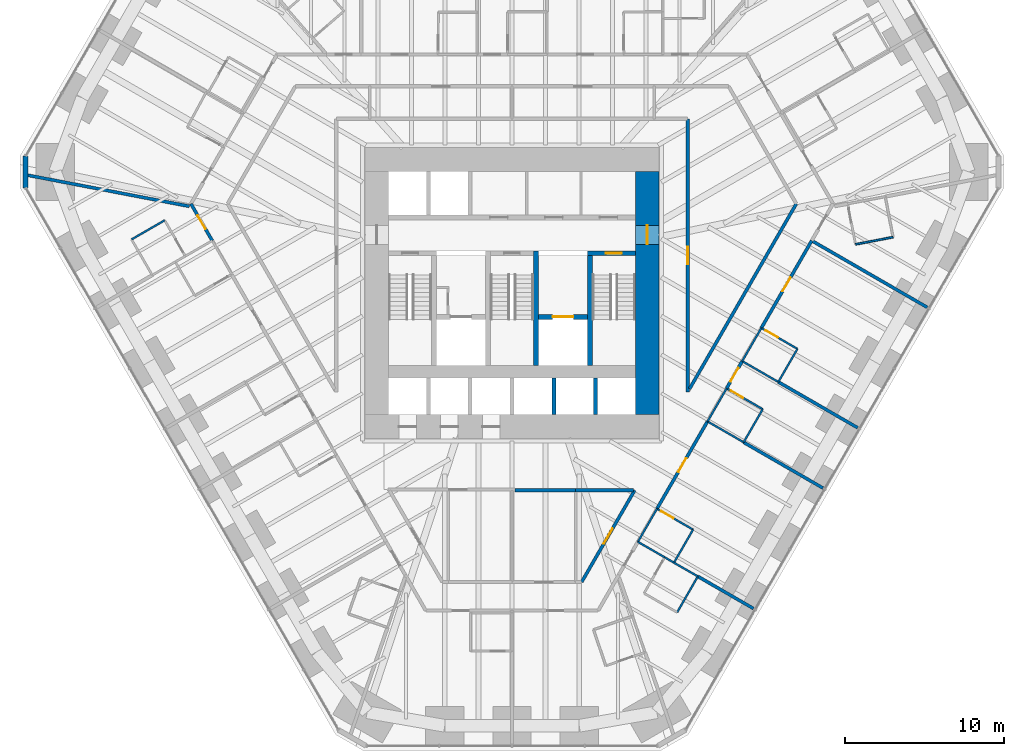
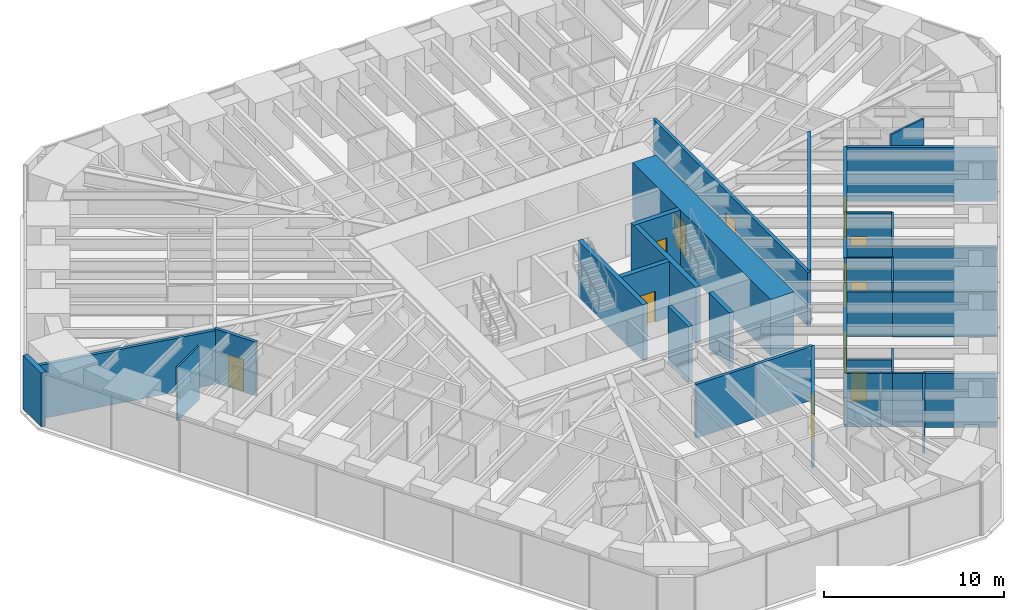
# One storey, part 13 of 17: 39 walls, 12 doors, 12 openings.
"""IFC4 building model written with IfcOpenShell, lengths in metres."""

from ifc_helpers import new_model, si_unit, direction, frame, frame_2d, origin, place, context, subcontext, project, spatial, rectangle, extrude, material, layer, layer_set, type_object, element, fill, save


model = new_model("IFC4")

# Units and contexts
model_context = context("Model", 3, precision=1e-05, world=origin(), true_north=direction((0.0, 1.0)))
body_context = subcontext(model_context, "Body", "Model", "MODEL_VIEW")
ifc_project = project(units=[si_unit("LENGTHUNIT", "METRE"), si_unit("AREAUNIT", "SQUARE_METRE"), si_unit("VOLUMEUNIT", "CUBIC_METRE"), si_unit("PLANEANGLEUNIT", "RADIAN"), si_unit("MASSUNIT", "GRAM", prefix="KILO")], contexts=[model_context])

# Site, building, storey
site_placement = place(None, origin())
site = spatial("IfcSite", under=ifc_project, at=site_placement, CompositionType="ELEMENT")
building_placement = place(site_placement, origin())
building = spatial("IfcBuilding", under=site, at=building_placement, Name="Sandreach Pilgrim Tower", CompositionType="ELEMENT")
storey_placement = place(building_placement, frame((0.0, 0.0, 26.800048828125)))
storey = spatial("IfcBuildingStorey", under=building, at=storey_placement, Name="L05", CompositionType="ELEMENT", Elevation=26.800048828125)

# Walls
ifc_material_1 = material(Name="Moisture-resistant gypsum board on steel studs", Category="steel")
ifc_layer_1 = layer(ifc_material_1, 0.1201171875)
ifc_layer_set_1 = layer_set([ifc_layer_1], Name="Bathroom partition 120")
wall_type_1 = type_object("IfcWallType", Name="Bathroom partition 120", PredefinedType="PARTITIONING", material=ifc_layer_set_1)
for number, where, z_axis, x_axis, name in (
    (1, (-21.830078125, 3.02001953125, 0.0), (0.0, 0.0, 1.0), (-0.866177122335, -0.499737123639, 0.0), "Bathroom partition L05-006"),
    (2, (7.909912109375, -17.18994140625, 0.0), (0.0, 0.0, 1.0), (0.499737123639, 0.866177122335, 0.0), "Bathroom partition L05-107"),
):
    element("IfcWall", number, at=place(storey_placement, frame(where, z_axis=z_axis, x_axis=x_axis)), inside=storey, type_object=wall_type_1, Name=name, PredefinedType="PARTITIONING", context=body_context, shape_type="SweptSolid", body=[
        extrude(rectangle(XDim=2.401123046875, YDim=0.1201171875, at=frame_2d((1.20068359375, 0.0))), origin(), (0.0, 0.0, 1.0), 3.639892578125),
    ])
wall_1_placement = place(storey_placement, frame((7.909912109375, -17.18994140625, 0.0), z_axis=(0.0, 0.0, 1.0), x_axis=(0.8673242112, -0.497743621421, 0.0)))
element("IfcWall", 3, at=wall_1_placement, inside=storey, type_object=wall_type_1, Name="Bathroom partition L05-108", PredefinedType="PARTITIONING", context=body_context, shape_type="SweptSolid", body=[
    extrude(rectangle(XDim=1.94873046875, YDim=0.1201171875, at=frame_2d((0.974365234375, 0.0))), origin(), (0.0, 0.0, 1.0), 3.639892578125),
])
wall_2_placement = place(storey_placement, frame((9.60009765625, -18.159912109375, 0.0), z_axis=(0.0, 0.0, 1.0), x_axis=(0.862577739272, -0.505924543497, 0.0)))
element("IfcWall", 4, at=wall_2_placement, inside=storey, type_object=wall_type_1, Name="Bathroom partition L05-123", PredefinedType="PARTITIONING", context=body_context, shape_type="SweptSolid", body=[
    extrude(rectangle(XDim=0.672119140625, YDim=0.1201171875, at=frame_2d((0.3359375, 0.0))), origin(), (0.0, 0.0, 1.0), 3.639892578125),
])
wall_3_placement = place(storey_placement, frame((10.179931640625, -18.5, 0.0), z_axis=(0.0, 0.0, 1.0), x_axis=(0.499693115345, 0.866202511239, 0.0)))
element("IfcWall", 5, at=wall_3_placement, inside=storey, type_object=wall_type_1, Name="Bathroom partition L05-124", PredefinedType="PARTITIONING", context=body_context, shape_type="SweptSolid", body=[
    extrude(rectangle(XDim=2.4013671875, YDim=0.1201171875, at=frame_2d((1.20068359375, 0.0))), origin(), (0.0, 0.0, 1.0), 3.639892578125),
])
wall_4_placement = place(storey_placement, frame((10.179931640625, -18.5, 0.0), z_axis=(0.0, 0.0, 1.0), x_axis=(0.867564547129, -0.497324598794, 0.0)))
element("IfcWall", 6, at=wall_4_placement, inside=storey, type_object=wall_type_1, Name="Bathroom partition L05-125", PredefinedType="PARTITIONING", context=body_context, shape_type="SweptSolid", body=[
    extrude(rectangle(XDim=1.72900390625, YDim=0.1201171875, at=frame_2d((0.864501953125, 0.0))), origin(), (0.0, 0.0, 1.0), 3.639892578125),
])
wall_5_placement = place(storey_placement, frame((10.3798828125, -21.6201171875, 0.0), z_axis=(0.0, 0.0, 1.0), x_axis=(0.498627694264, 0.866816256489, 0.0)))
element("IfcWall", 7, at=wall_5_placement, inside=storey, type_object=wall_type_1, Name="Bathroom partition L05-126", PredefinedType="PARTITIONING", context=body_context, shape_type="SweptSolid", body=[
    extrude(rectangle(XDim=2.607177734375, YDim=0.1201171875, at=frame_2d((1.3037109375, 0.0))), origin(), (0.0, 0.0, 1.0), 3.639892578125),
])

# Wall, opening, door
wall_6_placement = place(storey_placement, frame((11.3798828125, -16.419921875, 0.0), z_axis=(0.0, 0.0, 1.0), x_axis=(-0.866154567199, 0.49977621564, 0.0)))
wall_6 = element("IfcWall", 8, at=wall_6_placement, inside=storey, type_object=wall_type_1, Name="Bathroom partition L05-129", PredefinedType="PARTITIONING", context=body_context, shape_type="SweptSolid", body=[
    extrude(rectangle(XDim=2.620849609375, YDim=0.1201171875, at=frame_2d((1.310546875, 0.0))), origin(), (0.0, 0.0, 1.0), 2.8779296875),
])
opening_1_placement = place(wall_6_placement, frame((1.4208984375, 0.0, 0.0)))
opening_1 = element("IfcOpeningElement", 9, at=opening_1_placement, cuts=wall_6, Name="Opening D09-11B", PredefinedType="OPENING", context=body_context, shape_type="SweptSolid", body=[
    extrude(rectangle(XDim=0.89990234375, YDim=2.030029296875, at=frame_2d((0.449951171875, 1.01513671875))), frame((0.0, 0.06005859375, 0.0), z_axis=(0.0, -1.0, 0.0), x_axis=(1.0, 0.0, 0.0)), (0.0, 0.0, 1.0), 0.1201171875),
])
ifc_material_2 = material(Name="Timber door, steel frame", Category="steel")
door_type_1 = type_object("IfcDoorType", Name="Bathroom door", OperationType="SINGLE_SWING_LEFT", PredefinedType="DOOR", material=ifc_material_2)
door_1_placement = place(opening_1_placement, origin())
door_1 = element("IfcDoor", 10, at=door_1_placement, inside=storey, type_object=door_type_1, Name="Door 0511B", OperationType="SINGLE_SWING_RIGHT", OverallHeight=2.030029296875, OverallWidth=0.89990234375, PredefinedType="DOOR", context=body_context, shape_type="SweptSolid", body=[
    extrude(rectangle(XDim=0.89990234375, YDim=2.030029296875, at=frame_2d((0.449951171875, 1.01513671875))), frame((0.0, 0.02490234375, 0.0), z_axis=(0.0, -1.0, 0.0), x_axis=(1.0, 0.0, 0.0)), (0.0, 0.0, 1.0), 0.050048828125),
])
fill(opening_1, door_1)

# Walls
wall_7_placement = place(storey_placement, frame((12.2900390625, -9.6201171875, 0.0), z_axis=(0.0, 0.0, 1.0), x_axis=(0.499693115345, 0.866202511239, 0.0)))
element("IfcWall", 11, at=wall_7_placement, inside=storey, type_object=wall_type_1, Name="Bathroom partition L05-134", PredefinedType="PARTITIONING", context=body_context, shape_type="SweptSolid", body=[
    extrude(rectangle(XDim=2.4013671875, YDim=0.1201171875, at=frame_2d((1.20068359375, 0.0))), origin(), (0.0, 0.0, 1.0), 3.639892578125),
])
wall_8_placement = place(storey_placement, frame((12.2900390625, -9.6201171875, 0.0), z_axis=(0.0, 0.0, 1.0), x_axis=(0.865987003449, -0.500066505434, 0.0)))
element("IfcWall", 12, at=wall_8_placement, inside=storey, type_object=wall_type_1, Name="Bathroom partition L05-135", PredefinedType="PARTITIONING", context=body_context, shape_type="SweptSolid", body=[
    extrude(rectangle(XDim=2.620849609375, YDim=0.1201171875, at=frame_2d((1.310546875, 0.0))), origin(), (0.0, 0.0, 1.0), 3.0380859375),
])
wall_9_placement = place(storey_placement, frame((14.469970703125, -5.830078125, 0.0), z_axis=(0.0, 0.0, 1.0), x_axis=(0.499693115345, 0.866202511239, 0.0)))
element("IfcWall", 13, at=wall_9_placement, inside=storey, type_object=wall_type_1, Name="Bathroom partition L05-138", PredefinedType="PARTITIONING", context=body_context, shape_type="SweptSolid", body=[
    extrude(rectangle(XDim=2.4013671875, YDim=0.1201171875, at=frame_2d((1.20068359375, 0.0))), origin(), (0.0, 0.0, 1.0), 3.639892578125),
])
wall_10_placement = place(storey_placement, frame((14.469970703125, -5.830078125, 0.0), z_axis=(0.0, 0.0, 1.0), x_axis=(0.866010296064, -0.500026166427, 0.0)))
element("IfcWall", 14, at=wall_10_placement, inside=storey, type_object=wall_type_1, Name="Bathroom partition L05-139", PredefinedType="PARTITIONING", context=body_context, shape_type="SweptSolid", body=[
    extrude(rectangle(XDim=2.620849609375, YDim=0.1201171875, at=frame_2d((1.310546875, 0.0))), origin(), (0.0, 0.0, 1.0), 3.022705078125),
])
wall_11_placement = place(storey_placement, frame((14.56005859375, -10.929931640625, 0.0), z_axis=(0.0, 0.0, 1.0), x_axis=(0.499737123639, 0.866177122335, 0.0)))
element("IfcWall", 15, at=wall_11_placement, inside=storey, type_object=wall_type_1, Name="Bathroom partition L05-141", PredefinedType="PARTITIONING", context=body_context, shape_type="SweptSolid", body=[
    extrude(rectangle(XDim=2.401123046875, YDim=0.1201171875, at=frame_2d((1.20068359375, 0.0))), origin(), (0.0, 0.0, 1.0), 3.639892578125),
])

# Wall, opening, door
wall_12_placement = place(storey_placement, frame((15.760009765625, -8.85009765625, 0.0), z_axis=(0.0, 0.0, 1.0), x_axis=(-0.866114241029, 0.499846097802, 0.0)))
wall_12 = element("IfcWall", 16, at=wall_12_placement, inside=storey, type_object=wall_type_1, Name="Bathroom partition L05-145", PredefinedType="PARTITIONING", context=body_context, shape_type="SweptSolid", body=[
    extrude(rectangle(XDim=2.620849609375, YDim=0.1201171875, at=frame_2d((1.310546875, 0.0))), origin(), (0.0, 0.0, 1.0), 3.639892578125),
])
opening_2_placement = place(wall_12_placement, frame((1.4208984375, 0.0, 0.0)))
opening_2 = element("IfcOpeningElement", 17, at=opening_2_placement, cuts=wall_12, Name="Opening D09-10B", PredefinedType="OPENING", context=body_context, shape_type="SweptSolid", body=[
    extrude(rectangle(XDim=0.89990234375, YDim=2.030029296875, at=frame_2d((0.449951171875, 1.01513671875))), frame((0.0, 0.06005859375, 0.0), z_axis=(0.0, -1.0, 0.0), x_axis=(1.0, 0.0, 0.0)), (0.0, 0.0, 1.0), 0.1201171875),
])
door_2_placement = place(opening_2_placement, origin())
door_2 = element("IfcDoor", 18, at=door_2_placement, inside=storey, type_object=door_type_1, Name="Door 0510B", OperationType="SINGLE_SWING_RIGHT", OverallHeight=2.030029296875, OverallWidth=0.89990234375, PredefinedType="DOOR", context=body_context, shape_type="SweptSolid", body=[
    extrude(rectangle(XDim=0.89990234375, YDim=2.030029296875, at=frame_2d((0.449951171875, 1.01513671875))), frame((0.0, 0.02490234375, 0.0), z_axis=(0.0, -1.0, 0.0), x_axis=(1.0, 0.0, 0.0)), (0.0, 0.0, 1.0), 0.050048828125),
])
fill(opening_2, door_2)

# Wall
wall_13_placement = place(storey_placement, frame((16.739990234375, -7.139892578125, 0.0), z_axis=(0.0, 0.0, 1.0), x_axis=(0.499737123639, 0.866177122335, 0.0)))
element("IfcWall", 19, at=wall_13_placement, inside=storey, type_object=wall_type_1, Name="Bathroom partition L05-147", PredefinedType="PARTITIONING", context=body_context, shape_type="SweptSolid", body=[
    extrude(rectangle(XDim=2.401123046875, YDim=0.1201171875, at=frame_2d((1.20068359375, 0.0))), origin(), (0.0, 0.0, 1.0), 3.639892578125),
])

# Wall, opening, door
wall_14_placement = place(storey_placement, frame((17.93994140625, -5.06005859375, 0.0), z_axis=(0.0, 0.0, 1.0), x_axis=(-0.866114241029, 0.499846097802, 0.0)))
wall_14 = element("IfcWall", 20, at=wall_14_placement, inside=storey, type_object=wall_type_1, Name="Bathroom partition L05-153", PredefinedType="PARTITIONING", context=body_context, shape_type="SweptSolid", body=[
    extrude(rectangle(XDim=2.620849609375, YDim=0.1201171875, at=frame_2d((1.310546875, 0.0))), origin(), (0.0, 0.0, 1.0), 3.639892578125),
])
opening_3_placement = place(wall_14_placement, frame((1.4208984375, 0.0, 0.0)))
opening_3 = element("IfcOpeningElement", 21, at=opening_3_placement, cuts=wall_14, Name="Opening D09-09B", PredefinedType="OPENING", context=body_context, shape_type="SweptSolid", body=[
    extrude(rectangle(XDim=0.89990234375, YDim=2.030029296875, at=frame_2d((0.449951171875, 1.01513671875))), frame((0.0, 0.06005859375, 0.0), z_axis=(0.0, -1.0, 0.0), x_axis=(1.0, 0.0, 0.0)), (0.0, 0.0, 1.0), 0.1201171875),
])
door_3_placement = place(opening_3_placement, origin())
door_3 = element("IfcDoor", 22, at=door_3_placement, inside=storey, type_object=door_type_1, Name="Door 0509B", OperationType="SINGLE_SWING_RIGHT", OverallHeight=2.030029296875, OverallWidth=0.89990234375, PredefinedType="DOOR", context=body_context, shape_type="SweptSolid", body=[
    extrude(rectangle(XDim=0.89990234375, YDim=2.030029296875, at=frame_2d((0.449951171875, 1.01513671875))), frame((0.0, 0.02490234375, 0.0), z_axis=(0.0, -1.0, 0.0), x_axis=(1.0, 0.0, 0.0)), (0.0, 0.0, 1.0), 0.050048828125),
])
fill(opening_3, door_3)

# Walls
wall_15_placement = place(storey_placement, frame((21.590087890625, 1.510009765625, 0.0), z_axis=(0.0, 0.0, 1.0), x_axis=(0.982303859288, 0.187294228499, 0.0)))
element("IfcWall", 23, at=wall_15_placement, inside=storey, type_object=wall_type_1, Name="Bathroom partition L05-164", PredefinedType="PARTITIONING", context=body_context, shape_type="SweptSolid", body=[
    extrude(rectangle(XDim=2.40234375, YDim=0.1201171875, at=frame_2d((1.201171875, 0.0))), origin(), (0.0, 0.0, 1.0), 3.639892578125),
])
ifc_material_3 = material(Name="Concrete 10000 psi", Category="concrete")
ifc_layer_2 = layer(ifc_material_3, 0.300048828125)
ifc_layer_set_2 = layer_set([ifc_layer_2], Name="Core inner wall 300")
wall_type_2 = type_object("IfcWallType", Name="Core inner wall 300", PredefinedType="SHEAR", material=ifc_layer_set_2)
for number, where, z_axis, x_axis, name in (
    (24, (1.5, -6.10009765625, 0.0), (0.0, 0.0, 1.0), (0.0, 1.0, 0.0), "Core wall I2 L05"),
    (25, (4.89990234375, -6.10009765625, 0.0), (0.0, 0.0, 1.0), (0.0, 1.0, 0.0), "Core wall I3 L05"),
):
    element("IfcWall", number, at=place(storey_placement, frame(where, z_axis=z_axis, x_axis=x_axis)), inside=storey, type_object=wall_type_2, Name=name, PredefinedType="SHEAR", context=body_context, shape_type="SweptSolid", body=[
        extrude(rectangle(XDim=7.2001953125, YDim=0.300048828125, at=frame_2d((3.60009765625, 0.0))), origin(), (0.0, 0.0, 1.0), 3.800048828125),
    ])

# Wall, opening, door
wall_16_placement = place(storey_placement, frame((4.75, 0.949951171875, 0.0), z_axis=(0.0, 0.0, 1.0), x_axis=(1.0, 0.0, 0.0)))
wall_16 = element("IfcWall", 26, at=wall_16_placement, inside=storey, type_object=wall_type_2, Name="Core wall SN2 L05", PredefinedType="SHEAR", context=body_context, shape_type="SweptSolid", body=[
    extrude(rectangle(XDim=3.0, YDim=0.300048828125, at=frame_2d((1.5, 0.0))), origin(), (0.0, 0.0, 1.0), 3.800048828125),
])
opening_4_placement = place(wall_16_placement, frame((1.14990234375, 0.0, 0.0)))
opening_4 = element("IfcOpeningElement", 27, at=opening_4_placement, cuts=wall_16, Name="Opening D10S-ST2", PredefinedType="OPENING", context=body_context, shape_type="SweptSolid", body=[
    extrude(rectangle(XDim=1.0, YDim=2.199951171875, at=frame_2d((0.5, 1.10009765625))), frame((0.0, 0.14990234375, 0.0), z_axis=(0.0, -1.0, 0.0), x_axis=(1.0, 0.0, 0.0)), (0.0, 0.0, 1.0), 0.300048828125),
])
ifc_material_4 = material(Name="Steel door and frame", Category="steel")
door_type_2 = type_object("IfcDoorType", Name="Stair door", OperationType="SINGLE_SWING_LEFT", PredefinedType="DOOR", material=ifc_material_4)
door_4_placement = place(opening_4_placement, origin())
door_4 = element("IfcDoor", 28, at=door_4_placement, inside=storey, type_object=door_type_2, Name="Stair door ST2 L05", OperationType="SINGLE_SWING_RIGHT", OverallHeight=2.199951171875, OverallWidth=1.0, PredefinedType="DOOR", context=body_context, shape_type="SweptSolid", body=[
    extrude(rectangle(XDim=1.0, YDim=2.199951171875, at=frame_2d((0.5, 1.10009765625))), frame((0.0, 0.02490234375, 0.0), z_axis=(0.0, -1.0, 0.0), x_axis=(1.0, 0.0, 0.0)), (0.0, 0.0, 1.0), 0.050048828125),
])
fill(opening_4, door_4)

wall_17_placement = place(storey_placement, frame((1.64990234375, -3.050048828125, 0.0), z_axis=(0.0, 0.0, 1.0), x_axis=(1.0, 0.0, 0.0)))
wall_17 = element("IfcWall", 29, at=wall_17_placement, inside=storey, type_object=wall_type_2, Name="Core wall FL2 L05", PredefinedType="SHEAR", context=body_context, shape_type="SweptSolid", body=[
    extrude(rectangle(XDim=3.10009765625, YDim=0.300048828125, at=frame_2d((1.550048828125, 0.0))), origin(), (0.0, 0.0, 1.0), 3.800048828125),
])
opening_5_placement = place(wall_17_placement, frame((0.89990234375, 0.0, 0.0)))
opening_5 = element("IfcOpeningElement", 30, at=opening_5_placement, cuts=wall_17, Name="Opening LD13", PredefinedType="OPENING", context=body_context, shape_type="SweptSolid", body=[
    extrude(rectangle(XDim=1.300048828125, YDim=2.10009765625, at=frame_2d((0.64990234375, 1.050048828125))), frame((0.0, 0.14990234375, 0.0), z_axis=(0.0, -1.0, 0.0), x_axis=(1.0, 0.0, 0.0)), (0.0, 0.0, 1.0), 0.300048828125),
])
ifc_material_5 = material(Name="Steel door and frame", Category="steel")
door_type_3 = type_object("IfcDoorType", Name="Fire service lift landing door", OperationType="DOUBLE_DOOR_SLIDING", PredefinedType="DOOR", material=ifc_material_5)
door_5_placement = place(opening_5_placement, origin())
door_5 = element("IfcDoor", 31, at=door_5_placement, inside=storey, type_object=door_type_3, Name="Lift landing door FS2 L05", OperationType="DOUBLE_DOOR_SLIDING", OverallHeight=2.10009765625, OverallWidth=1.300048828125, PredefinedType="DOOR", context=body_context, shape_type="SweptSolid", body=[
    extrude(rectangle(XDim=1.300048828125, YDim=2.10009765625, at=frame_2d((0.64990234375, 1.050048828125))), frame((0.0, 0.02490234375, 0.0), z_axis=(0.0, -1.0, 0.0), x_axis=(1.0, 0.0, 0.0)), (0.0, 0.0, 1.0), 0.050048828125),
])
fill(opening_5, door_5)

ifc_material_6 = material(Name="Concrete 10000 psi", Category="concrete")
ifc_layer_3 = layer(ifc_material_6, 1.5)
ifc_layer_set_3 = layer_set([ifc_layer_3], Name="Core wall 1500")
wall_type_3 = type_object("IfcWallType", Name="Core wall 1500", PredefinedType="SHEAR", material=ifc_layer_set_3)
wall_18_placement = place(storey_placement, frame((8.5, -9.199951171875, 0.0), z_axis=(0.0, 0.0, 1.0), x_axis=(0.0, 1.0, 0.0)))
wall_18 = element("IfcWall", 32, at=wall_18_placement, inside=storey, type_object=wall_type_3, Name="Core wall E L05", PredefinedType="SHEAR", context=body_context, shape_type="SweptSolid", body=[
    extrude(rectangle(XDim=15.300048828125, YDim=1.5, at=frame_2d((7.64990234375, 0.0))), origin(), (0.0, 0.0, 1.0), 3.800048828125),
])
opening_6_placement = place(wall_18_placement, frame((10.699951171875, 0.0, 0.0)))
opening_6 = element("IfcOpeningElement", 33, at=opening_6_placement, cuts=wall_18, Name="Opening D12F-E", PredefinedType="OPENING", context=body_context, shape_type="SweptSolid", body=[
    extrude(rectangle(XDim=1.199951171875, YDim=2.199951171875, at=frame_2d((0.60009765625, 1.10009765625))), frame((0.0, 0.75, 0.0), z_axis=(0.0, -1.0, 0.0), x_axis=(1.0, 0.0, 0.0)), (0.0, 0.0, 1.0), 1.5),
])
ifc_material_7 = material(Name="Steel door and frame", Category="steel")
door_type_4 = type_object("IfcDoorType", Name="Fire lobby door", OperationType="SINGLE_SWING_LEFT", PredefinedType="DOOR", material=ifc_material_7)
door_6_placement = place(opening_6_placement, origin())
door_6 = element("IfcDoor", 34, at=door_6_placement, inside=storey, type_object=door_type_4, Name="Fire service lobby door E L05", OperationType="SINGLE_SWING_RIGHT", OverallHeight=2.199951171875, OverallWidth=1.199951171875, PredefinedType="DOOR", context=body_context, shape_type="SweptSolid", body=[
    extrude(rectangle(XDim=1.199951171875, YDim=2.199951171875, at=frame_2d((0.60009765625, 1.10009765625))), frame((0.0, 0.02490234375, 0.0), z_axis=(0.0, -1.0, 0.0), x_axis=(1.0, 0.0, 0.0)), (0.0, 0.0, 1.0), 0.050048828125),
])
fill(opening_6, door_6)

ifc_material_8 = material(Name="Gypsum board on steel studs, two layers each side", Category="steel")
ifc_layer_4 = layer(ifc_material_8, 0.199951171875)
ifc_layer_set_4 = layer_set([ifc_layer_4], Name="Corridor wall 200")
wall_type_4 = type_object("IfcWallType", Name="Corridor wall 200", PredefinedType="PARTITIONING", material=ifc_layer_set_4)
wall_19_placement = place(storey_placement, frame((-20.179931640625, 4.06005859375, 0.0), z_axis=(0.0, 0.0, 1.0), x_axis=(0.500098439427, -0.865968562295, 0.0)))
wall_19 = element("IfcWall", 35, at=wall_19_placement, inside=storey, type_object=wall_type_4, Name="Corridor wall L05-014", PredefinedType="PARTITIONING", context=body_context, shape_type="SweptSolid", body=[
    extrude(rectangle(XDim=2.67919921875, YDim=0.199951171875, at=frame_2d((1.339599609375, 0.0))), origin(), (0.0, 0.0, 1.0), 3.639892578125),
])
opening_7_placement = place(wall_19_placement, frame((0.839599609375, 0.0, 0.0)))
opening_7 = element("IfcOpeningElement", 36, at=opening_7_placement, cuts=wall_19, Name="Opening D10-19", PredefinedType="OPENING", context=body_context, shape_type="SweptSolid", body=[
    extrude(rectangle(XDim=1.0, YDim=2.1298828125, at=frame_2d((0.5, 1.06494140625))), frame((0.0, 0.10009765625, 0.0), z_axis=(0.0, -1.0, 0.0), x_axis=(1.0, 0.0, 0.0)), (0.0, 0.0, 1.0), 0.199951171875),
])
ifc_material_9 = material(Name="Steel door and frame", Category="steel")
door_type_5 = type_object("IfcDoorType", Name="Guest room entry door", OperationType="SINGLE_SWING_LEFT", PredefinedType="DOOR", material=ifc_material_9)
door_7_placement = place(opening_7_placement, origin())
door_7 = element("IfcDoor", 37, at=door_7_placement, inside=storey, type_object=door_type_5, Name="Door 0519", OperationType="SINGLE_SWING_LEFT", OverallHeight=2.1298828125, OverallWidth=1.0, PredefinedType="DOOR", context=body_context, shape_type="SweptSolid", body=[
    extrude(rectangle(XDim=1.0, YDim=2.1298828125, at=frame_2d((0.5, 1.06494140625))), frame((0.0, 0.02490234375, 0.0), z_axis=(0.0, -1.0, 0.0), x_axis=(1.0, 0.0, 0.0)), (0.0, 0.0, 1.0), 0.050048828125),
])
fill(opening_7, door_7)

# Walls
wall_20_placement = place(storey_placement, frame((0.179931640625, -13.949951171875, 0.0), z_axis=(0.0, 0.0, 1.0), x_axis=(1.0, 0.0, 0.0)))
element("IfcWall", 38, at=wall_20_placement, inside=storey, type_object=wall_type_4, Name="Corridor wall L05-087", PredefinedType="PARTITIONING", context=body_context, shape_type="SweptSolid", body=[
    extrude(rectangle(XDim=3.820068359375, YDim=0.199951171875, at=frame_2d((1.91015625, 0.0))), origin(), (0.0, 0.0, 1.0), 3.639892578125),
])
wall_21_placement = place(storey_placement, frame((4.0, -13.949951171875, 0.0), z_axis=(0.0, 0.0, 1.0), x_axis=(1.0, 0.0, 0.0)))
element("IfcWall", 39, at=wall_21_placement, inside=storey, type_object=wall_type_4, Name="Corridor wall L05-095", PredefinedType="PARTITIONING", context=body_context, shape_type="SweptSolid", body=[
    extrude(rectangle(XDim=3.635009765625, YDim=0.199951171875, at=frame_2d((1.8173828125, 0.0))), origin(), (0.0, 0.0, 1.0), 3.639892578125),
])

# Wall, opening, door
wall_22_placement = place(storey_placement, frame((7.7099609375, -13.949951171875, 0.0), z_axis=(0.0, 0.0, 1.0), x_axis=(-0.500511113963, -0.865730110831, 0.0)))
wall_22 = element("IfcWall", 40, at=wall_22_placement, inside=storey, type_object=wall_type_4, Name="Corridor wall L05-106", PredefinedType="PARTITIONING", context=body_context, shape_type="SweptSolid", body=[
    extrude(rectangle(XDim=6.6533203125, YDim=0.199951171875, at=frame_2d((3.32666015625, 0.0))), origin(), (0.0, 0.0, 1.0), 3.639892578125),
])
opening_8_placement = place(wall_22_placement, frame((2.776611328125, 0.0, 0.0)))
opening_8 = element("IfcOpeningElement", 41, at=opening_8_placement, cuts=wall_22, Name="Opening D11H-S4", PredefinedType="OPENING", context=body_context, shape_type="SweptSolid", body=[
    extrude(rectangle(XDim=1.10009765625, YDim=2.199951171875, at=frame_2d((0.550048828125, 1.10009765625))), frame((0.0, 0.10009765625, 0.0), z_axis=(0.0, -1.0, 0.0), x_axis=(1.0, 0.0, 0.0)), (0.0, 0.0, 1.0), 0.199951171875),
])
ifc_material_10 = material(Name="Steel door and frame", Category="steel")
door_type_6 = type_object("IfcDoorType", Name="Back of house door", OperationType="SINGLE_SWING_LEFT", PredefinedType="DOOR", material=ifc_material_10)
door_8_placement = place(opening_8_placement, origin())
door_8 = element("IfcDoor", 42, at=door_8_placement, inside=storey, type_object=door_type_6, Name="Door 05S4", OperationType="SINGLE_SWING_LEFT", OverallHeight=2.199951171875, OverallWidth=1.10009765625, PredefinedType="DOOR", context=body_context, shape_type="SweptSolid", body=[
    extrude(rectangle(XDim=1.10009765625, YDim=2.199951171875, at=frame_2d((0.550048828125, 1.10009765625))), frame((0.0, 0.02490234375, 0.0), z_axis=(0.0, -1.0, 0.0), x_axis=(1.0, 0.0, 0.0)), (0.0, 0.0, 1.0), 0.050048828125),
])
fill(opening_8, door_8)

wall_23_placement = place(storey_placement, frame((9.110107421875, -15.110107421875, 0.0), z_axis=(0.0, 0.0, 1.0), x_axis=(0.500872436665, 0.86552111597, 0.0)))
wall_23 = element("IfcWall", 43, at=wall_23_placement, inside=storey, type_object=wall_type_4, Name="Corridor wall L05-114", PredefinedType="PARTITIONING", context=body_context, shape_type="SweptSolid", body=[
    extrude(rectangle(XDim=6.344482421875, YDim=0.199951171875, at=frame_2d((3.17236328125, 0.0))), origin(), (0.0, 0.0, 1.0), 3.639892578125),
])
opening_9_placement = place(wall_23_placement, frame((2.67236328125, 0.0, 0.0)))
opening_9 = element("IfcOpeningElement", 44, at=opening_9_placement, cuts=wall_23, Name="Opening D10-11", PredefinedType="OPENING", context=body_context, shape_type="SweptSolid", body=[
    extrude(rectangle(XDim=1.0, YDim=2.1298828125, at=frame_2d((0.5, 1.06494140625))), frame((0.0, 0.10009765625, 0.0), z_axis=(0.0, -1.0, 0.0), x_axis=(1.0, 0.0, 0.0)), (0.0, 0.0, 1.0), 0.199951171875),
])
door_9_placement = place(opening_9_placement, origin())
door_9 = element("IfcDoor", 45, at=door_9_placement, inside=storey, type_object=door_type_5, Name="Door 0511", OperationType="SINGLE_SWING_LEFT", OverallHeight=2.1298828125, OverallWidth=1.0, PredefinedType="DOOR", context=body_context, shape_type="SweptSolid", body=[
    extrude(rectangle(XDim=1.0, YDim=2.1298828125, at=frame_2d((0.5, 1.06494140625))), frame((0.0, 0.02490234375, 0.0), z_axis=(0.0, -1.0, 0.0), x_axis=(1.0, 0.0, 0.0)), (0.0, 0.0, 1.0), 0.050048828125),
])
fill(opening_9, door_9)

wall_24_placement = place(storey_placement, frame((11.050048828125, -7.760009765625, 0.0), z_axis=(0.0, 0.0, 1.0), x_axis=(0.0, 1.0, 0.0)))
wall_24 = element("IfcWall", 46, at=wall_24_placement, inside=storey, type_object=wall_type_4, Name="Corridor wall L05-128", PredefinedType="PARTITIONING", context=body_context, shape_type="SweptSolid", body=[
    extrude(rectangle(XDim=17.159912109375, YDim=0.199951171875, at=frame_2d((8.580078125, 0.0))), origin(), (0.0, 0.0, 1.0), 3.639892578125),
])
opening_10_placement = place(wall_24_placement, frame((8.030029296875, 0.0, 0.0)))
opening_10 = element("IfcOpeningElement", 47, at=opening_10_placement, cuts=wall_24, Name="Opening D11H-M04", PredefinedType="OPENING", context=body_context, shape_type="SweptSolid", body=[
    extrude(rectangle(XDim=1.10009765625, YDim=2.199951171875, at=frame_2d((0.550048828125, 1.10009765625))), frame((0.0, 0.10009765625, 0.0), z_axis=(0.0, -1.0, 0.0), x_axis=(1.0, 0.0, 0.0)), (0.0, 0.0, 1.0), 0.199951171875),
])
door_10_placement = place(opening_10_placement, origin())
door_10 = element("IfcDoor", 48, at=door_10_placement, inside=storey, type_object=door_type_6, Name="Door 05M04", OperationType="SINGLE_SWING_LEFT", OverallHeight=2.199951171875, OverallWidth=1.10009765625, PredefinedType="DOOR", context=body_context, shape_type="SweptSolid", body=[
    extrude(rectangle(XDim=1.10009765625, YDim=2.199951171875, at=frame_2d((0.550048828125, 1.10009765625))), frame((0.0, 0.02490234375, 0.0), z_axis=(0.0, -1.0, 0.0), x_axis=(1.0, 0.0, 0.0)), (0.0, 0.0, 1.0), 0.050048828125),
])
fill(opening_10, door_10)

wall_25_placement = place(storey_placement, frame((13.48876953125, -7.539306640625, 0.0), z_axis=(0.0, 0.0, 1.0), x_axis=(0.4978588916, 0.867258049288, 0.0)))
wall_25 = element("IfcWall", 49, at=wall_25_placement, inside=storey, type_object=wall_type_4, Name="Corridor wall L05-136", PredefinedType="PARTITIONING", context=body_context, shape_type="SweptSolid", body=[
    extrude(rectangle(XDim=1.970947265625, YDim=0.199951171875, at=frame_2d((0.9853515625, 0.0))), origin(), (0.0, 0.0, 1.0), 3.639892578125),
])
opening_11_placement = place(wall_25_placement, frame((0.485595703125, 0.0, 0.0)))
opening_11 = element("IfcOpeningElement", 50, at=opening_11_placement, cuts=wall_25, Name="Opening D10-10", PredefinedType="OPENING", context=body_context, shape_type="SweptSolid", body=[
    extrude(rectangle(XDim=1.0, YDim=2.1298828125, at=frame_2d((0.5, 1.06494140625))), frame((0.0, 0.10009765625, 0.0), z_axis=(0.0, -1.0, 0.0), x_axis=(1.0, 0.0, 0.0)), (0.0, 0.0, 1.0), 0.199951171875),
])
door_11_placement = place(opening_11_placement, origin())
door_11 = element("IfcDoor", 51, at=door_11_placement, inside=storey, type_object=door_type_5, Name="Door 0510", OperationType="SINGLE_SWING_LEFT", OverallHeight=2.1298828125, OverallWidth=1.0, PredefinedType="DOOR", context=body_context, shape_type="SweptSolid", body=[
    extrude(rectangle(XDim=1.0, YDim=2.1298828125, at=frame_2d((0.5, 1.06494140625))), frame((0.0, 0.02490234375, 0.0), z_axis=(0.0, -1.0, 0.0), x_axis=(1.0, 0.0, 0.0)), (0.0, 0.0, 1.0), 0.050048828125),
])
fill(opening_11, door_11)

wall_26_placement = place(storey_placement, frame((15.669921875, -3.75, 0.0), z_axis=(0.0, 0.0, 1.0), x_axis=(0.500061360627, 0.865989974311, 0.0)))
wall_26 = element("IfcWall", 52, at=wall_26_placement, inside=storey, type_object=wall_type_4, Name="Corridor wall L05-144", PredefinedType="PARTITIONING", context=body_context, shape_type="SweptSolid", body=[
    extrude(rectangle(XDim=6.339599609375, YDim=0.199951171875, at=frame_2d((3.169921875, 0.0))), origin(), (0.0, 0.0, 1.0), 3.639892578125),
])
opening_12_placement = place(wall_26_placement, frame((2.669921875, 0.0, 0.0)))
opening_12 = element("IfcOpeningElement", 53, at=opening_12_placement, cuts=wall_26, Name="Opening D10-09", PredefinedType="OPENING", context=body_context, shape_type="SweptSolid", body=[
    extrude(rectangle(XDim=1.0, YDim=2.1298828125, at=frame_2d((0.5, 1.06494140625))), frame((0.0, 0.10009765625, 0.0), z_axis=(0.0, -1.0, 0.0), x_axis=(1.0, 0.0, 0.0)), (0.0, 0.0, 1.0), 0.199951171875),
])
door_12_placement = place(opening_12_placement, origin())
door_12 = element("IfcDoor", 54, at=door_12_placement, inside=storey, type_object=door_type_5, Name="Door 0509", OperationType="SINGLE_SWING_LEFT", OverallHeight=2.1298828125, OverallWidth=1.0, PredefinedType="DOOR", context=body_context, shape_type="SweptSolid", body=[
    extrude(rectangle(XDim=1.0, YDim=2.1298828125, at=frame_2d((0.5, 1.06494140625))), frame((0.0, 0.02490234375, 0.0), z_axis=(0.0, -1.0, 0.0), x_axis=(1.0, 0.0, 0.0)), (0.0, 0.0, 1.0), 0.050048828125),
])
fill(opening_12, door_12)

# Walls
wall_27_placement = place(storey_placement, frame((17.8701171875, 4.06005859375, 0.0), z_axis=(0.0, 0.0, 1.0), x_axis=(-0.499769659837, -0.866158349903, 0.0)))
element("IfcWall", 55, at=wall_27_placement, inside=storey, type_object=wall_type_4, Name="Corridor wall L05-152", PredefinedType="PARTITIONING", context=body_context, shape_type="SweptSolid", body=[
    extrude(rectangle(XDim=13.431396484375, YDim=0.199951171875, at=frame_2d((6.7158203125, 0.0))), origin(), (0.0, 0.0, 1.0), 3.639892578125),
])
ifc_material_11 = material(Name="Double steel stud acoustic wall, gypsum board", Category="steel")
ifc_layer_5 = layer(ifc_material_11, 0.199951171875)
ifc_layer_set_5 = layer_set([ifc_layer_5], Name="Party wall 200")
wall_type_5 = type_object("IfcWallType", Name="Party wall 200", PredefinedType="PARTITIONING", material=ifc_layer_set_5)
wall_28_placement = place(storey_placement, frame((-30.590576171875, 5.88427734375, 0.0), z_axis=(0.0, 0.0, 1.0), x_axis=(0.981987542287, -0.188945671541, 0.0)))
element("IfcWall", 56, at=wall_28_placement, inside=storey, type_object=wall_type_5, Name="Party wall L05-001", PredefinedType="PARTITIONING", context=body_context, shape_type="SweptSolid", body=[
    extrude(rectangle(XDim=10.503662109375, YDim=0.199951171875, at=frame_2d((5.251953125, 0.0))), origin(), (0.0, 0.0, 1.0), 3.639892578125),
])
wall_29_placement = place(storey_placement, frame((11.679931640625, -19.360107421875, 0.0), z_axis=(0.0, 0.0, 1.0), x_axis=(0.865885444553, -0.500242338183, 0.0)))
element("IfcWall", 57, at=wall_29_placement, inside=storey, type_object=wall_type_5, Name="Party wall L05-131", PredefinedType="PARTITIONING", context=body_context, shape_type="SweptSolid", body=[
    extrude(rectangle(XDim=4.03759765625, YDim=0.199951171875, at=frame_2d((2.018798828125, 0.0))), origin(), (0.0, 0.0, 1.0), 3.639892578125),
])
wall_30_placement = place(storey_placement, frame((14.5595703125, -10.9306640625, 0.0), z_axis=(0.0, 0.0, 1.0), x_axis=(0.865995646508, -0.500051537573, 0.0)))
element("IfcWall", 58, at=wall_30_placement, inside=storey, type_object=wall_type_5, Name="Party wall L05-140", PredefinedType="PARTITIONING", context=body_context, shape_type="SweptSolid", body=[
    extrude(rectangle(XDim=5.75830078125, YDim=0.199951171875, at=frame_2d((2.879150390625, 0.0))), origin(), (0.0, 0.0, 1.0), 3.0380859375),
])
wall_31_placement = place(storey_placement, frame((16.73974609375, -7.140625, 0.0), z_axis=(0.0, 0.0, 1.0), x_axis=(0.865985044037, -0.500069898618, 0.0)))
element("IfcWall", 59, at=wall_31_placement, inside=storey, type_object=wall_type_5, Name="Party wall L05-146", PredefinedType="PARTITIONING", context=body_context, shape_type="SweptSolid", body=[
    extrude(rectangle(XDim=5.758056640625, YDim=0.199951171875, at=frame_2d((2.87890625, 0.0))), origin(), (0.0, 0.0, 1.0), 3.022705078125),
])
wall_32_placement = place(storey_placement, frame((26.09619140625, -2.449951171875, 0.0), z_axis=(0.0, 0.0, 1.0), x_axis=(-0.866002919298, 0.500038942252, 0.0)))
element("IfcWall", 60, at=wall_32_placement, inside=storey, type_object=wall_type_5, Name="Party wall L05-170", PredefinedType="PARTITIONING", context=body_context, shape_type="SweptSolid", body=[
    extrude(rectangle(XDim=8.368896484375, YDim=0.199951171875, at=frame_2d((4.1845703125, 0.0))), origin(), (0.0, 0.0, 1.0), 3.639892578125),
])
ifc_material_12 = material(Name="Gypsum shaft wall on steel studs, two layers of shaft liner board", Category="steel")
ifc_layer_6 = layer(ifc_material_12, 0.25)
ifc_layer_set_6 = layer_set([ifc_layer_6], Name="Shaft partition 250")
wall_type_6 = type_object("IfcWallType", Name="Shaft partition 250", PredefinedType="PARTITIONING", material=ifc_layer_set_6)
for number, where, z_axis, x_axis, name in (
    (61, (2.625, -9.199951171875, 0.0), (0.0, 0.0, 1.0), (0.0, 1.0, 0.0), "Shaft partition XS3 L05"),
    (62, (5.25, -9.199951171875, 0.0), (0.0, 0.0, 1.0), (0.0, 1.0, 0.0), "Shaft partition XS4 L05"),
):
    element("IfcWall", number, at=place(storey_placement, frame(where, z_axis=z_axis, x_axis=x_axis)), inside=storey, type_object=wall_type_6, Name=name, PredefinedType="PARTITIONING", context=body_context, shape_type="SweptSolid", body=[
        extrude(rectangle(XDim=2.300048828125, YDim=0.25, at=frame_2d((1.14990234375, 0.0))), origin(), (0.0, 0.0, 1.0), 3.800048828125),
    ])
ifc_material_13 = material(Name="Terracotta rainscreen on concrete", Category="masonry")
ifc_layer_7 = layer(ifc_material_13, 0.300048828125)
ifc_layer_set_7 = layer_set([ifc_layer_7], Name="Terracotta chamfer pier")
wall_type_7 = type_object("IfcWallType", Name="Terracotta chamfer pier", PredefinedType="SOLIDWALL", material=ifc_layer_set_7)
wall_33_placement = place(storey_placement, frame((-30.576171875, 5.062255859375, 0.0), z_axis=(0.0, 0.0, 1.0), x_axis=(0.0, 1.0, 0.0)))
element("IfcWall", 63, at=wall_33_placement, inside=storey, type_object=wall_type_7, Name="Chamfer pier L05 SW", PredefinedType="SOLIDWALL", context=body_context, shape_type="SweptSolid", body=[
    extrude(rectangle(XDim=2.0, YDim=0.300048828125, at=frame_2d((1.0, 0.0))), origin(), (0.0, 0.0, 1.0), 3.639892578125),
])

save(model, "model.ifc")
